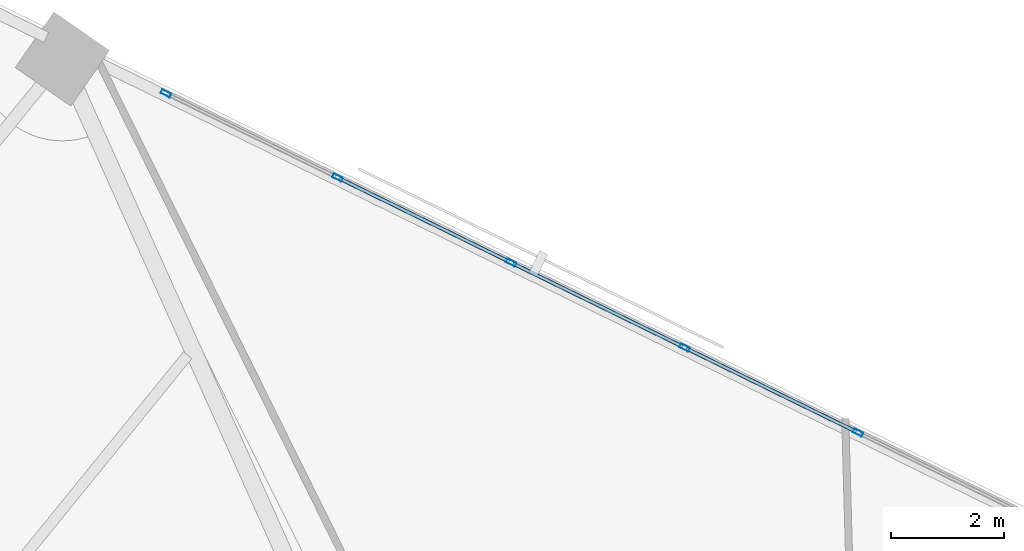
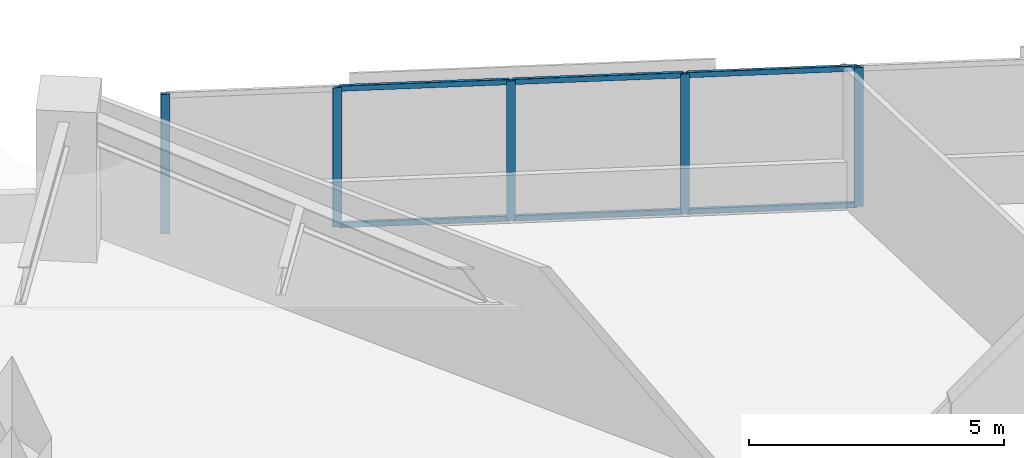
# One storey, part 10 of 18: 11 members, 1 element without a shape of its own.
"""IFC4 building model written with IfcOpenShell, lengths in metres."""

from ifc_helpers import new_model, si_unit, direction, frame, origin, origin_2d, place, context, subcontext, project, spatial, hollow_rectangle, extrude, material, material_profile, profile_set, type_object, element, aggregate, save


model = new_model("IFC4")

# Units and contexts
model_context = context("Model", 3, precision=1e-05, world=origin(), true_north=direction((0.0, 1.0)))
body_context = subcontext(model_context, "Body", "Model", "MODEL_VIEW")
ifc_project = project(units=[si_unit("LENGTHUNIT", "METRE"), si_unit("AREAUNIT", "SQUARE_METRE"), si_unit("VOLUMEUNIT", "CUBIC_METRE"), si_unit("PLANEANGLEUNIT", "RADIAN"), si_unit("MASSUNIT", "GRAM", prefix="KILO")], contexts=[model_context])

# Site, building, storey
site_placement = place(None, origin())
site = spatial("IfcSite", under=ifc_project, at=site_placement, CompositionType="ELEMENT")
building_placement = place(site_placement, origin())
building = spatial("IfcBuilding", under=site, at=building_placement, Name="Narakoshi Arena Tower", CompositionType="ELEMENT")
storey_placement = place(building_placement, frame((0.0, 0.0, 120.89990234375)))
storey = spatial("IfcBuildingStorey", under=building, at=storey_placement, Name="L32", CompositionType="ELEMENT", Elevation=120.89990234375)

# Curtain wall, members
ifc_material = material(Name="Anodised bronze aluminium 6063-T6", Category="aluminium")
curtain_wall_type = type_object("IfcCurtainWallType", Name="CW-HYP-LOW", PredefinedType="NOTDEFINED", material=ifc_material)
curtain_wall_placement = place(storey_placement, origin())
curtain_wall = element("IfcCurtainWall", 1, at=curtain_wall_placement, inside=storey, type_object=curtain_wall_type, Name="L32 Folded Hypotenuse Curtain Wall 2-1", PredefinedType="NOTDEFINED")
ifc_material_profile_1 = material_profile(ifc_material, hollow_rectangle(XDim=0.074951171875, YDim=0.179931640625, WallThickness=0.00390625, OuterFilletRadius=0.0048828125, at=origin_2d()), Name="MUL180x75x4")
ifc_profile_set_1 = profile_set([ifc_material_profile_1], Name="Anodised bronze aluminium 6063-T6")
member_type_1 = type_object("IfcMemberType", Name="MEM-MUL-180", PredefinedType="MULLION", material=ifc_profile_set_1)
member_1_placement = place(storey_placement, frame((78.41259765625, 67.01611328125, 0.0), z_axis=(0.0, 0.0, 1.0), x_axis=(-0.440004510198, -0.89799556291, 0.0)))
member_1 = element("IfcMember", 2, at=member_1_placement, type_object=member_type_1, Name="CW-01 mullion 4", PredefinedType="MULLION", context=body_context, shape_type="SweptSolid", body=[
    extrude(hollow_rectangle(XDim=0.074951171875, YDim=0.179931640625, WallThickness=0.00390625, OuterFilletRadius=0.0048828125, at=origin_2d()), origin(), (0.0, 0.0, 1.0), 3.340087890625),
])
member_2_placement = place(storey_placement, frame((75.33935546875, 68.52197265625, 0.0), z_axis=(0.0, 0.0, 1.0), x_axis=(-0.440004510198, -0.89799556291, 0.0)))
member_2 = element("IfcMember", 3, at=member_2_placement, type_object=member_type_1, Name="CW-01 mullion 5", PredefinedType="MULLION", context=body_context, shape_type="SweptSolid", body=[
    extrude(hollow_rectangle(XDim=0.074951171875, YDim=0.179931640625, WallThickness=0.00390625, OuterFilletRadius=0.0048828125, at=origin_2d()), origin(), (0.0, 0.0, 1.0), 3.340087890625),
])
member_3_placement = place(storey_placement, frame((72.26611328125, 70.028076171875, 0.0), z_axis=(0.0, 0.0, 1.0), x_axis=(-0.440004510198, -0.89799556291, 0.0)))
member_3 = element("IfcMember", 4, at=member_3_placement, type_object=member_type_1, Name="CW-01 mullion 6", PredefinedType="MULLION", context=body_context, shape_type="SweptSolid", body=[
    extrude(hollow_rectangle(XDim=0.074951171875, YDim=0.179931640625, WallThickness=0.00390625, OuterFilletRadius=0.0048828125, at=origin_2d()), origin(), (0.0, 0.0, 1.0), 3.340087890625),
])
member_4_placement = place(storey_placement, frame((69.19287109375, 71.533935546875, 0.0), z_axis=(0.0, 0.0, 1.0), x_axis=(-0.440004510198, -0.89799556291, 0.0)))
member_4 = element("IfcMember", 5, at=member_4_placement, type_object=member_type_1, Name="CW-01 mullion 7", PredefinedType="MULLION", context=body_context, shape_type="SweptSolid", body=[
    extrude(hollow_rectangle(XDim=0.074951171875, YDim=0.179931640625, WallThickness=0.00390625, OuterFilletRadius=0.0048828125, at=origin_2d()), origin(), (0.0, 0.0, 1.0), 3.340087890625),
])
member_5_placement = place(storey_placement, frame((66.153076171875, 73.023193359375, 0.0), z_axis=(0.0, 0.0, 1.0), x_axis=(-0.440004510198, -0.89799556291, 0.0)))
member_5 = element("IfcMember", 6, at=member_5_placement, type_object=member_type_1, Name="CW-01 mullion 8", PredefinedType="MULLION", context=body_context, shape_type="SweptSolid", body=[
    extrude(hollow_rectangle(XDim=0.074951171875, YDim=0.179931640625, WallThickness=0.00390625, OuterFilletRadius=0.0048828125, at=origin_2d()), origin(), (0.0, 0.0, 1.0), 3.340087890625),
])
ifc_material_profile_2 = material_profile(ifc_material, hollow_rectangle(XDim=0.06494140625, YDim=0.1298828125, WallThickness=0.00390625, OuterFilletRadius=0.0048828125, at=origin_2d()), Name="TRN130x65x4")
ifc_profile_set_2 = profile_set([ifc_material_profile_2], Name="Anodised bronze aluminium 6063-T6")
member_type_2 = type_object("IfcMemberType", Name="MEM-TRN-130", PredefinedType="USERDEFINED", material=ifc_profile_set_2)
member_6_placement = place(storey_placement, frame((78.37890625, 67.03271484375, 0.03271484375), z_axis=(-0.897986843255, 0.440022305503, 0.0), x_axis=(-0.440022305503, -0.897986843255, 0.0)))
member_6 = element("IfcMember", 7, at=member_6_placement, type_object=member_type_2, Name="CW-01 transom 4.1", ObjectType="TRANSOM", PredefinedType="USERDEFINED", context=body_context, shape_type="SweptSolid", body=[
    extrude(hollow_rectangle(XDim=0.06494140625, YDim=0.1298828125, WallThickness=0.00390625, OuterFilletRadius=0.0048828125, at=origin_2d()), origin(), (0.0, 0.0, 1.0), 3.347412109375),
])
member_7_placement = place(storey_placement, frame((78.37890625, 67.03271484375, 3.3076171875), z_axis=(-0.897986843255, 0.440022305503, 0.0), x_axis=(-0.440022305503, -0.897986843255, 0.0)))
member_7 = element("IfcMember", 8, at=member_7_placement, type_object=member_type_2, Name="CW-01 transom 4.2", ObjectType="TRANSOM", PredefinedType="USERDEFINED", context=body_context, shape_type="SweptSolid", body=[
    extrude(hollow_rectangle(XDim=0.06494140625, YDim=0.1298828125, WallThickness=0.00390625, OuterFilletRadius=0.0048828125, at=origin_2d()), origin(), (0.0, 0.0, 1.0), 3.347412109375),
])
member_8_placement = place(storey_placement, frame((75.3056640625, 68.53857421875, 0.03271484375), z_axis=(-0.897986843255, 0.440022305503, 0.0), x_axis=(-0.440022305503, -0.897986843255, 0.0)))
member_8 = element("IfcMember", 9, at=member_8_placement, type_object=member_type_2, Name="CW-01 transom 5.1", ObjectType="TRANSOM", PredefinedType="USERDEFINED", context=body_context, shape_type="SweptSolid", body=[
    extrude(hollow_rectangle(XDim=0.06494140625, YDim=0.1298828125, WallThickness=0.00390625, OuterFilletRadius=0.0048828125, at=origin_2d()), origin(), (0.0, 0.0, 1.0), 3.347412109375),
])
member_9_placement = place(storey_placement, frame((75.3056640625, 68.53857421875, 3.3076171875), z_axis=(-0.897986843255, 0.440022305503, 0.0), x_axis=(-0.440022305503, -0.897986843255, 0.0)))
member_9 = element("IfcMember", 10, at=member_9_placement, type_object=member_type_2, Name="CW-01 transom 5.2", ObjectType="TRANSOM", PredefinedType="USERDEFINED", context=body_context, shape_type="SweptSolid", body=[
    extrude(hollow_rectangle(XDim=0.06494140625, YDim=0.1298828125, WallThickness=0.00390625, OuterFilletRadius=0.0048828125, at=origin_2d()), origin(), (0.0, 0.0, 1.0), 3.347412109375),
])
member_10_placement = place(storey_placement, frame((72.232421875, 70.04443359375, 0.03271484375), z_axis=(-0.897986843255, 0.440022305503, 0.0), x_axis=(-0.440022305503, -0.897986843255, 0.0)))
member_10 = element("IfcMember", 11, at=member_10_placement, type_object=member_type_2, Name="CW-01 transom 6.1", ObjectType="TRANSOM", PredefinedType="USERDEFINED", context=body_context, shape_type="SweptSolid", body=[
    extrude(hollow_rectangle(XDim=0.06494140625, YDim=0.1298828125, WallThickness=0.00390625, OuterFilletRadius=0.0048828125, at=origin_2d()), origin(), (0.0, 0.0, 1.0), 3.347412109375),
])
member_11_placement = place(storey_placement, frame((72.232421875, 70.04443359375, 3.3076171875), z_axis=(-0.897986843255, 0.440022305503, 0.0), x_axis=(-0.440022305503, -0.897986843255, 0.0)))
member_11 = element("IfcMember", 12, at=member_11_placement, type_object=member_type_2, Name="CW-01 transom 6.2", ObjectType="TRANSOM", PredefinedType="USERDEFINED", context=body_context, shape_type="SweptSolid", body=[
    extrude(hollow_rectangle(XDim=0.06494140625, YDim=0.1298828125, WallThickness=0.00390625, OuterFilletRadius=0.0048828125, at=origin_2d()), origin(), (0.0, 0.0, 1.0), 3.347412109375),
])
aggregate(curtain_wall, [member_1, member_2, member_3, member_4, member_5, member_6, member_7, member_8, member_9, member_10, member_11])

save(model, "model.ifc")
